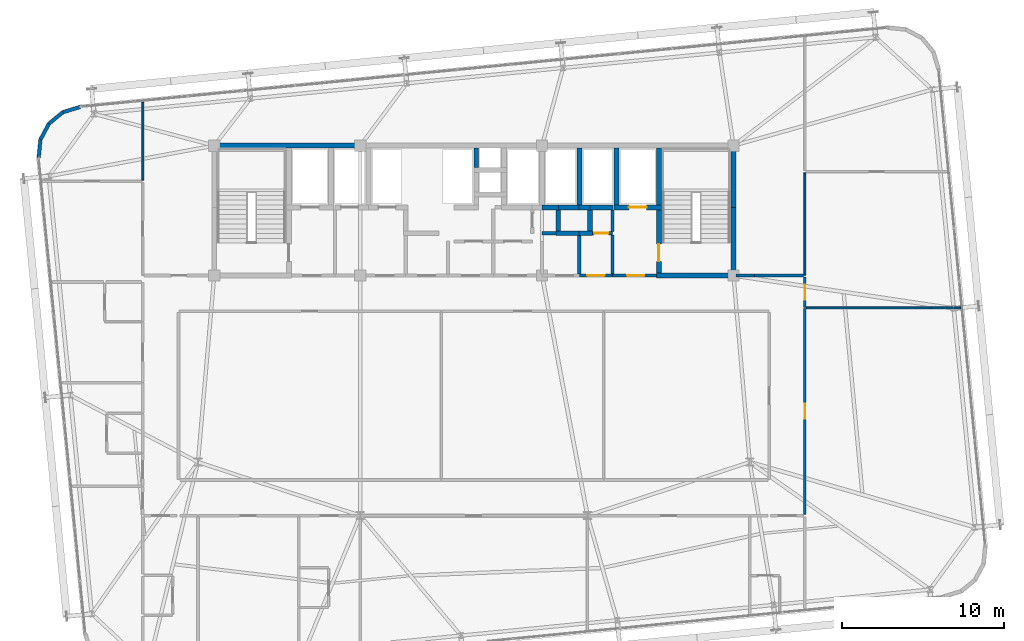
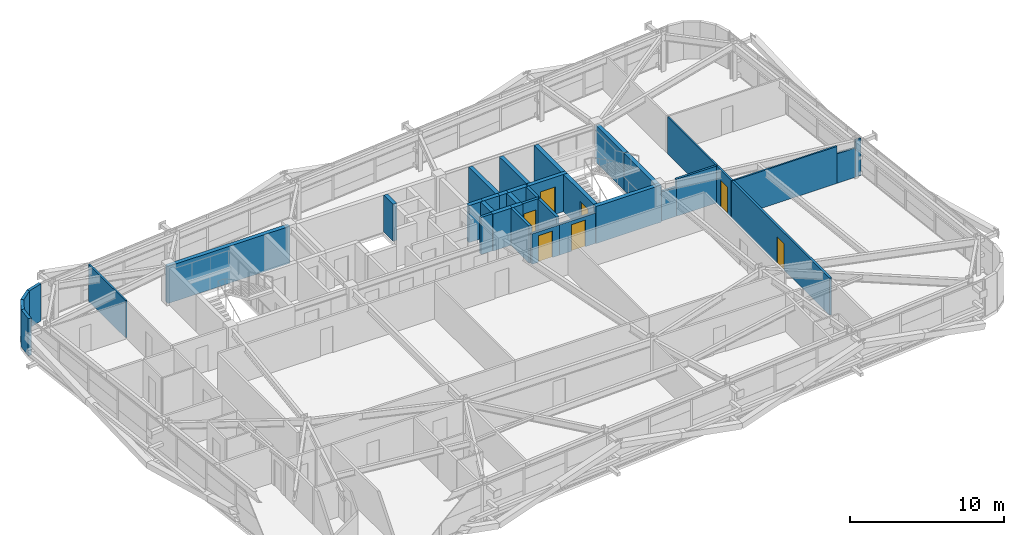
# One storey, part 49 of 53: 38 walls, 7 doors, 7 openings.
"""IFC4 building model written with IfcOpenShell, lengths in metres."""

from ifc_helpers import new_model, si_unit, direction, frame, frame_2d, origin, place, context, subcontext, project, spatial, rectangle, extrude, source, transform, mapped, material, layer, layer_set, type_object, element, fill, save


model = new_model("IFC4")

# Units and contexts
model_context = context("Model", 3, precision=1e-05, world=origin(), true_north=direction((0.0, 1.0)))
body_context = subcontext(model_context, "Body", "Model", "MODEL_VIEW")
ifc_project = project(units=[si_unit("LENGTHUNIT", "METRE"), si_unit("AREAUNIT", "SQUARE_METRE"), si_unit("VOLUMEUNIT", "CUBIC_METRE"), si_unit("PLANEANGLEUNIT", "RADIAN"), si_unit("MASSUNIT", "GRAM", prefix="KILO")], contexts=[model_context])

# Site, building, storey
site_placement = place(None, origin())
site = spatial("IfcSite", under=ifc_project, at=site_placement, CompositionType="ELEMENT")
building_placement = place(site_placement, origin())
building = spatial("IfcBuilding", under=site, at=building_placement, Name="Taldren Reach Tower", CompositionType="ELEMENT")
storey_placement = place(building_placement, frame((0.0, 0.0, 84.0)))
storey = spatial("IfcBuildingStorey", under=building, at=storey_placement, Name="L25", CompositionType="ELEMENT", Elevation=84.0)

# Walls
ifc_material_1 = material(Name="Pale Champagne Anodised Aluminium Cladding", Category="aluminium")
ifc_layer_1 = layer(ifc_material_1, 0.04, Name="Pale Champagne Anodised Aluminium Cladding", Category="aluminium")
ifc_material_2 = material(Name="Mineral Wool Acoustic Insulation", Category="insulation")
ifc_layer_2 = layer(ifc_material_2, 0.06, Name="Mineral Wool Acoustic Insulation", Category="insulation")
ifc_material_3 = material(Name="Steel Gr 350 (C350L0)", Category="steel")
ifc_layer_3 = layer(ifc_material_3, 0.12, Name="Steel Gr 350 (C350L0)", Category="steel")
ifc_layer_set_1 = layer_set([ifc_layer_1, ifc_layer_2, ifc_layer_3], Name="Pale Champagne Aluminium Cladding and Steel Gr 350 Stud Framing")
wall_type_1 = type_object("IfcWallType", Name="EW-CRN-220", PredefinedType="SOLIDWALL", material=ifc_layer_set_1)
shared_shape_1 = source(origin(), body_context, "Body", "SweptSolid", [
    extrude(rectangle(XDim=1.115966796875, YDim=0.219970703125, at=frame_2d((0.55810546875, 0.0))), origin(), (0.0, 0.0, 1.0), 2.929931640625),
])
wall_1_placement = place(storey_placement, frame((10.7509765625, 34.386474609375, 0.0), z_axis=(0.0, 0.0, 1.0), x_axis=(-0.957070388811, -0.289855603468, 0.0)))
element("IfcWall", 1, at=wall_1_placement, inside=storey, type_object=wall_type_1, Name="Rounded-corner pale-metal facade wall L25-NW1", PredefinedType="SOLIDWALL", context=body_context, shape_type="MappedRepresentation", body=[
    mapped(shared_shape_1, transform((0.0, 0.0, 0.0), scale=1.0)),
])
shared_shape_2 = source(origin(), body_context, "Body", "SweptSolid", [
    extrude(rectangle(XDim=1.11572265625, YDim=0.219970703125, at=frame_2d((0.557861328125, 0.0))), origin(), (0.0, 0.0, 1.0), 2.929931640625),
])
for number, where, z_axis, x_axis, name in (
    (2, (9.682861328125, 34.06298828125, 0.0), (0.0, 0.0, 1.0), (-0.773254916409, -0.634095287989, 0.0), "Rounded-corner pale-metal facade wall L25-NW2"),
    (3, (8.29345703125, 32.371337890625, 0.0), (0.0, 0.0, 1.0), (-0.098463783145, -0.99514063499, 0.0), "Rounded-corner pale-metal facade wall L25-NW4"),
):
    element("IfcWall", number, at=place(storey_placement, frame(where, z_axis=z_axis, x_axis=x_axis)), inside=storey, type_object=wall_type_1, Name=name, PredefinedType="SOLIDWALL", context=body_context, shape_type="MappedRepresentation", body=[
        mapped(shared_shape_2, transform((0.0, 0.0, 0.0), scale=1.0)),
    ])
shared_shape_3 = source(origin(), body_context, "Body", "SweptSolid", [
    extrude(rectangle(XDim=1.1162109375, YDim=0.219970703125, at=frame_2d((0.55810546875, 0.0))), origin(), (0.0, 0.0, 1.0), 2.929931640625),
])
wall_2_placement = place(storey_placement, frame((8.820068359375, 33.35546875, 0.0), z_axis=(0.0, 0.0, 1.0), x_axis=(-0.471802540493, -0.881704237704, 0.0)))
element("IfcWall", 4, at=wall_2_placement, inside=storey, type_object=wall_type_1, Name="Rounded-corner pale-metal facade wall L25-NW3", PredefinedType="SOLIDWALL", context=body_context, shape_type="MappedRepresentation", body=[
    mapped(shared_shape_3, transform((0.0, 0.0, 0.0), scale=1.0)),
])

# Wall, opening, door
ifc_material_4 = material(Name="Fire-Rated Acoustic Plasterboard Stud Wall", Category="gypsum")
ifc_layer_4 = layer(ifc_material_4, 0.159912109375)
ifc_layer_set_2 = layer_set([ifc_layer_4], Name="Fire-Rated Acoustic Plasterboard Stud Wall")
wall_type_2 = type_object("IfcWallType", Name="IW-FIRE-160", PredefinedType="PARTITIONING", material=ifc_layer_set_2)
shared_shape_4 = source(origin(), body_context, "Body", "SweptSolid", [
    extrude(rectangle(XDim=1.899658203125, YDim=0.159912109375, at=frame_2d((0.94970703125, 0.0))), origin(), (0.0, 0.0, 1.0), 2.929931640625),
])
wall_3_placement = place(storey_placement, frame((55.39990234375, 23.919921875, 0.0), z_axis=(0.0, 0.0, 1.0), x_axis=(0.0, -1.0, 0.0)))
wall_3 = element("IfcWall", 5, at=wall_3_placement, inside=storey, type_object=wall_type_2, Name="Interior Partition Wall W-INT-L25-074", PredefinedType="PARTITIONING", context=body_context, shape_type="MappedRepresentation", body=[
    mapped(shared_shape_4, transform((0.0, 0.0, 0.0), scale=1.0)),
])
shared_shape_5 = source(origin(), body_context, "Body", "SweptSolid", [
    extrude(rectangle(XDim=0.919921875, YDim=2.10009765625, at=frame_2d((0.4599609375, 1.050048828125))), frame((0.0, 0.08984375, 0.0), z_axis=(0.0, -1.0, 0.0), x_axis=(1.0, 0.0, 0.0)), (0.0, 0.0, 1.0), 0.179931640625),
])
opening_1_placement = place(wall_3_placement, frame((0.489990234375, 0.0, 0.0)))
opening_1 = element("IfcOpeningElement", 6, at=opening_1_placement, cuts=wall_3, Name="Opening DI-092", PredefinedType="OPENING", context=body_context, shape_type="MappedRepresentation", body=[
    mapped(shared_shape_5, transform((0.0, 0.0, 0.0), scale=1.0)),
])
ifc_material_5 = material(Name="Solid-Core Timber Suite Door", Category="wood")
door_type_1 = type_object("IfcDoorType", Name="ID-INT-092", OperationType="NOTDEFINED", PredefinedType="DOOR", material=ifc_material_5)
shared_shape_6 = source(origin(), body_context, "Body", "SweptSolid", [
    extrude(rectangle(XDim=0.919921875, YDim=2.10009765625, at=frame_2d((0.4599609375, 1.050048828125))), frame((0.0, 0.02490234375, 0.0), z_axis=(0.0, -1.0, 0.0), x_axis=(1.0, 0.0, 0.0)), (0.0, 0.0, 1.0), 0.050048828125),
])
door_1_placement = place(opening_1_placement, origin())
door_1 = element("IfcDoor", 7, at=door_1_placement, inside=storey, type_object=door_type_1, Name="Interior Door DR-L25-023", OperationType="SINGLE_SWING_RIGHT", OverallHeight=2.10009765625, OverallWidth=0.919921875, PredefinedType="DOOR", context=body_context, shape_type="MappedRepresentation", body=[
    mapped(shared_shape_6, transform((0.0, 0.0, 0.0), scale=1.0)),
])
fill(opening_1, door_1)

# Wall
ifc_material_6 = material(Name="Concrete S50 (50 MPa)", Category="concrete")
ifc_layer_5 = layer(ifc_material_6, 0.199951171875)
ifc_layer_set_3 = layer_set([ifc_layer_5], Name="Concrete S50 (50 MPa)")
wall_type_3 = type_object("IfcWallType", Name="IW-CORE-200", PredefinedType="SOLIDWALL", material=ifc_layer_set_3)
shared_shape_7 = source(origin(), body_context, "Body", "SweptSolid", [
    extrude(rectangle(XDim=2.39990234375, YDim=0.199951171875, at=frame_2d((1.199951171875, 0.0))), origin(), (0.0, 0.0, 1.0), 2.929931640625),
])
wall_4_placement = place(storey_placement, frame((43.550048828125, 26.5, 0.0), z_axis=(0.0, 0.0, 1.0), x_axis=(0.0, -1.0, 0.0)))
element("IfcWall", 8, at=wall_4_placement, inside=storey, type_object=wall_type_3, Name="Rear Core Shear Wall W-INT-L25-013", PredefinedType="SOLIDWALL", context=body_context, shape_type="MappedRepresentation", body=[
    mapped(shared_shape_7, transform((0.0, 0.0, 0.0), scale=1.0)),
])

# Wall, opening, door
shared_shape_8 = source(origin(), body_context, "Body", "SweptSolid", [
    extrude(rectangle(XDim=1.25, YDim=0.199951171875, at=frame_2d((0.625, 0.0))), origin(), (0.0, 0.0, 1.0), 2.929931640625),
])
wall_5_placement = place(storey_placement, frame((42.300048828125, 26.60009765625, 0.0), z_axis=(0.0, 0.0, 1.0), x_axis=(1.0, 0.0, 0.0)))
wall_5 = element("IfcWall", 9, at=wall_5_placement, inside=storey, type_object=wall_type_3, Name="Rear Core Shear Wall W-INT-L25-058", PredefinedType="SOLIDWALL", context=body_context, shape_type="MappedRepresentation", body=[
    mapped(shared_shape_8, transform((0.0, 0.0, 0.0), scale=1.0)),
])
shared_shape_9 = source(origin(), body_context, "Body", "SweptSolid", [
    extrude(rectangle(XDim=0.8798828125, YDim=2.10009765625, at=frame_2d((0.43994140625, 1.050048828125))), frame((0.0, 0.10986328125, 0.0), z_axis=(0.0, -1.0, 0.0), x_axis=(1.0, 0.0, 0.0)), (0.0, 0.0, 1.0), 0.219970703125),
])
opening_2_placement = place(wall_5_placement, frame((0.110107421875, 0.0, 0.0)))
opening_2 = element("IfcOpeningElement", 10, at=opening_2_placement, cuts=wall_5, Name="Opening DF-088", PredefinedType="OPENING", context=body_context, shape_type="MappedRepresentation", body=[
    mapped(shared_shape_9, transform((0.0, 0.0, 0.0), scale=1.0)),
])
ifc_material_7 = material(Name="Fire-Rated Service Closet Door")
door_type_2 = type_object("IfcDoorType", Name="ID-FIRE-088", OperationType="NOTDEFINED", PredefinedType="DOOR", material=ifc_material_7)
shared_shape_10 = source(origin(), body_context, "Body", "SweptSolid", [
    extrude(rectangle(XDim=0.8798828125, YDim=2.10009765625, at=frame_2d((0.43994140625, 1.050048828125))), frame((0.0, 0.02490234375, 0.0), z_axis=(0.0, -1.0, 0.0), x_axis=(1.0, 0.0, 0.0)), (0.0, 0.0, 1.0), 0.050048828125),
])
door_2_placement = place(opening_2_placement, origin())
door_2 = element("IfcDoor", 11, at=door_2_placement, inside=storey, type_object=door_type_2, Name="Interior Door DR-L25-012", OperationType="SINGLE_SWING_LEFT", OverallHeight=2.10009765625, OverallWidth=0.8798828125, PredefinedType="DOOR", context=body_context, shape_type="MappedRepresentation", body=[
    mapped(shared_shape_10, transform((0.0, 0.0, 0.0), scale=1.0)),
])
fill(opening_2, door_2)

shared_shape_11 = source(origin(), body_context, "Body", "SweptSolid", [
    extrude(rectangle(XDim=2.050048828125, YDim=0.199951171875, at=frame_2d((1.02490234375, 0.0))), origin(), (0.0, 0.0, 1.0), 2.39697265625),
])
wall_6_placement = place(storey_placement, frame((43.550048828125, 24.0, 0.0), z_axis=(0.0, 0.0, 1.0), x_axis=(-1.0, 0.0, 0.0)))
wall_6 = element("IfcWall", 12, at=wall_6_placement, inside=storey, type_object=wall_type_3, Name="Rear Core Shear Wall W-INT-L25-059", PredefinedType="SOLIDWALL", context=body_context, shape_type="MappedRepresentation", body=[
    mapped(shared_shape_11, transform((0.0, 0.0, 0.0), scale=1.0)),
])
shared_shape_12 = source(origin(), body_context, "Body", "SweptSolid", [
    extrude(rectangle(XDim=1.050048828125, YDim=2.10009765625, at=frame_2d((0.52490234375, 1.050048828125))), frame((0.0, 0.10986328125, 0.0), z_axis=(0.0, -1.0, 0.0), x_axis=(1.0, 0.0, 0.0)), (0.0, 0.0, 1.0), 0.219970703125),
])
opening_3_placement = place(wall_6_placement, frame((0.5, 0.0, 0.0)))
opening_3 = element("IfcOpeningElement", 13, at=opening_3_placement, cuts=wall_6, Name="Opening DF-105", PredefinedType="OPENING", context=body_context, shape_type="MappedRepresentation", body=[
    mapped(shared_shape_12, transform((0.0, 0.0, 0.0), scale=1.0)),
])
ifc_material_8 = material(Name="Fire-Rated Care and Stair Exit Door")
door_type_3 = type_object("IfcDoorType", Name="ID-FIRE-105", OperationType="NOTDEFINED", PredefinedType="DOOR", material=ifc_material_8)
shared_shape_13 = source(origin(), body_context, "Body", "SweptSolid", [
    extrude(rectangle(XDim=1.050048828125, YDim=2.10009765625, at=frame_2d((0.52490234375, 1.050048828125))), frame((0.0, 0.02490234375, 0.0), z_axis=(0.0, -1.0, 0.0), x_axis=(1.0, 0.0, 0.0)), (0.0, 0.0, 1.0), 0.050048828125),
])
door_3_placement = place(opening_3_placement, frame((1.050048828125, 0.0, 0.0), z_axis=(0.0, 0.0, 1.0), x_axis=(-1.0, 0.0, 0.0)))
door_3 = element("IfcDoor", 14, at=door_3_placement, inside=storey, type_object=door_type_3, Name="Interior Door DR-L25-013", OperationType="SINGLE_SWING_LEFT", OverallHeight=2.10009765625, OverallWidth=1.050048828125, PredefinedType="DOOR", context=body_context, shape_type="MappedRepresentation", body=[
    mapped(shared_shape_13, transform((0.0, 0.0, 0.0), scale=1.0)),
])
fill(opening_3, door_3)

# Walls
ifc_material_9 = material(Name="Concrete S65 (65 MPa)", Category="concrete")
ifc_layer_6 = layer(ifc_material_9, 0.300048828125)
ifc_layer_set_4 = layer_set([ifc_layer_6], Name="Concrete S65 (65 MPa)")
wall_type_4 = type_object("IfcWallType", Name="IW-CORE-300", PredefinedType="SHEAR", material=ifc_layer_set_4)
shared_shape_14 = source(origin(), body_context, "Body", "SweptSolid", [
    extrude(rectangle(XDim=9.14990234375, YDim=0.300048828125, at=frame_2d((4.574951171875, 0.0))), origin(), (0.0, 0.0, 1.0), 2.929931640625),
])
wall_7_placement = place(storey_placement, frame((18.85009765625, 32.0, 0.0), z_axis=(0.0, 0.0, 1.0), x_axis=(1.0, 0.0, 0.0)))
element("IfcWall", 15, at=wall_7_placement, inside=storey, type_object=wall_type_4, Name="Rear Core Shear Wall W-CORE-L25-NORTH1", PredefinedType="SHEAR", context=body_context, shape_type="MappedRepresentation", body=[
    mapped(shared_shape_14, transform((0.0, 0.0, 0.0), scale=1.0)),
])
shared_shape_15 = source(origin(), body_context, "Body", "SweptSolid", [
    extrude(rectangle(XDim=4.050048828125, YDim=0.300048828125, at=frame_2d((2.02490234375, 0.0))), origin(), (0.0, 0.0, 1.0), 2.929931640625),
])
wall_8_placement = place(storey_placement, frame((51.0, 24.14990234375, 0.0), z_axis=(0.0, 0.0, 1.0), x_axis=(0.0, 1.0, 0.0)))
element("IfcWall", 16, at=wall_8_placement, inside=storey, type_object=wall_type_4, Name="Rear Core Shear Wall W-CORE-L25-EAST1", PredefinedType="SHEAR", context=body_context, shape_type="MappedRepresentation", body=[
    mapped(shared_shape_15, transform((0.0, 0.0, 0.0), scale=1.0)),
])
shared_shape_16 = source(origin(), body_context, "Body", "SweptSolid", [
    extrude(rectangle(XDim=3.650146484375, YDim=0.300048828125, at=frame_2d((1.8251953125, 0.0))), origin(), (0.0, 0.0, 1.0), 2.929931640625),
])
wall_9_placement = place(storey_placement, frame((51.0, 28.199951171875, 0.0), z_axis=(0.0, 0.0, 1.0), x_axis=(0.0, 1.0, 0.0)))
element("IfcWall", 17, at=wall_9_placement, inside=storey, type_object=wall_type_4, Name="Rear Core Shear Wall W-CORE-L25-EAST2", PredefinedType="SHEAR", context=body_context, shape_type="MappedRepresentation", body=[
    mapped(shared_shape_16, transform((0.0, 0.0, 0.0), scale=1.0)),
])
shared_shape_17 = source(origin(), body_context, "Body", "SweptSolid", [
    extrude(rectangle(XDim=3.5, YDim=0.300048828125, at=frame_2d((1.75, 0.0))), origin(), (0.0, 0.0, 1.0), 2.929931640625),
])
for number, where, z_axis, x_axis, name in (
    (18, (46.39990234375, 31.85009765625, 0.0), (0.0, 0.0, 1.0), (0.0, -1.0, 0.0), "Rear Core Shear Wall W-INT-L25-008"),
    (19, (43.800048828125, 31.85009765625, 0.0), (0.0, 0.0, 1.0), (0.0, -1.0, 0.0), "Rear Core Shear Wall W-INT-L25-012"),
    (20, (41.5, 28.35009765625, 0.0), (0.0, 0.0, 1.0), (0.0, 1.0, 0.0), "Rear Core Shear Wall W-INT-L25-041"),
):
    element("IfcWall", number, at=place(storey_placement, frame(where, z_axis=z_axis, x_axis=x_axis)), inside=storey, type_object=wall_type_4, Name=name, PredefinedType="SHEAR", context=body_context, shape_type="MappedRepresentation", body=[
        mapped(shared_shape_17, transform((0.0, 0.0, 0.0), scale=1.0)),
    ])

# Wall, opening, door
shared_shape_18 = source(origin(), body_context, "Body", "SweptSolid", [
    extrude(rectangle(XDim=3.900146484375, YDim=0.300048828125, at=frame_2d((1.9501953125, 0.0))), origin(), (0.0, 0.0, 1.0), 2.929931640625),
])
wall_10_placement = place(storey_placement, frame((46.39990234375, 28.050048828125, 0.0), z_axis=(0.0, 0.0, 1.0), x_axis=(0.0, -1.0, 0.0)))
wall_10 = element("IfcWall", 21, at=wall_10_placement, inside=storey, type_object=wall_type_4, Name="Rear Core Shear Wall W-INT-L25-009", PredefinedType="SHEAR", context=body_context, shape_type="MappedRepresentation", body=[
    mapped(shared_shape_18, transform((0.0, 0.0, 0.0), scale=1.0)),
])
shared_shape_19 = source(origin(), body_context, "Body", "SweptSolid", [
    extrude(rectangle(XDim=1.050048828125, YDim=2.10009765625, at=frame_2d((0.52490234375, 1.050048828125))), frame((0.0, 0.16015625, 0.0), z_axis=(0.0, -1.0, 0.0), x_axis=(1.0, 0.0, 0.0)), (0.0, 0.0, 1.0), 0.320068359375),
])
opening_4_placement = place(wall_10_placement, frame((2.125, 0.0, 0.0)))
opening_4 = element("IfcOpeningElement", 22, at=opening_4_placement, cuts=wall_10, Name="Opening DF-105", PredefinedType="OPENING", context=body_context, shape_type="MappedRepresentation", body=[
    mapped(shared_shape_19, transform((0.0, 0.0, 0.0), scale=1.0)),
])
door_4_placement = place(opening_4_placement, origin())
door_4 = element("IfcDoor", 23, at=door_4_placement, inside=storey, type_object=door_type_3, Name="Fire Exit Stair Door DR-L25-003", OperationType="SINGLE_SWING_RIGHT", OverallHeight=2.10009765625, OverallWidth=1.050048828125, PredefinedType="DOOR", context=body_context, shape_type="MappedRepresentation", body=[
    mapped(shared_shape_13, transform((0.0, 0.0, 0.0), scale=1.0)),
])
fill(opening_4, door_4)

# Wall
shared_shape_20 = source(origin(), body_context, "Body", "SweptSolid", [
    extrude(rectangle(XDim=4.89990234375, YDim=0.300048828125, at=frame_2d((2.449951171875, 0.0))), origin(), (0.0, 0.0, 1.0), 2.929931640625),
])
wall_11_placement = place(storey_placement, frame((46.25, 24.0, 0.0), z_axis=(0.0, 0.0, 1.0), x_axis=(1.0, 0.0, 0.0)))
element("IfcWall", 24, at=wall_11_placement, inside=storey, type_object=wall_type_4, Name="Rear Core Shear Wall W-INT-L25-010", PredefinedType="SHEAR", context=body_context, shape_type="MappedRepresentation", body=[
    mapped(shared_shape_20, transform((0.0, 0.0, 0.0), scale=1.0)),
])

# Wall, opening, door
shared_shape_21 = source(origin(), body_context, "Body", "SweptSolid", [
    extrude(rectangle(XDim=2.900146484375, YDim=0.300048828125, at=frame_2d((1.4501953125, 0.0))), origin(), (0.0, 0.0, 1.0), 2.929931640625),
])
wall_12_placement = place(storey_placement, frame((43.64990234375, 28.199951171875, 0.0), z_axis=(0.0, 0.0, 1.0), x_axis=(1.0, 0.0, 0.0)))
wall_12 = element("IfcWall", 25, at=wall_12_placement, inside=storey, type_object=wall_type_4, Name="Rear Core Shear Wall W-INT-L25-011", PredefinedType="SHEAR", context=body_context, shape_type="MappedRepresentation", body=[
    mapped(shared_shape_21, transform((0.0, 0.0, 0.0), scale=1.0)),
])
shared_shape_22 = source(origin(), body_context, "Body", "SweptSolid", [
    extrude(rectangle(XDim=1.10009765625, YDim=2.14990234375, at=frame_2d((0.550048828125, 1.074951171875))), frame((0.0, 0.16015625, 0.0), z_axis=(0.0, -1.0, 0.0), x_axis=(1.0, 0.0, 0.0)), (0.0, 0.0, 1.0), 0.320068359375),
])
opening_5_placement = place(wall_12_placement, frame((0.89990234375, 0.0, 0.0)))
opening_5 = element("IfcOpeningElement", 26, at=opening_5_placement, cuts=wall_12, Name="Opening LD-FL2", PredefinedType="OPENING", context=body_context, shape_type="MappedRepresentation", body=[
    mapped(shared_shape_22, transform((0.0, 0.0, 0.0), scale=1.0)),
])
ifc_material_10 = material(Name="Stainless Steel Gr 316 Emergency Lift Landing Door", Category="steel")
door_type_4 = type_object("IfcDoorType", Name="LD-EMG-110", OperationType="SLIDING_TO_LEFT", PredefinedType="DOOR", material=ifc_material_10)
shared_shape_23 = source(origin(), body_context, "Body", "SweptSolid", [
    extrude(rectangle(XDim=1.10009765625, YDim=2.14990234375, at=frame_2d((0.550048828125, 1.074951171875))), frame((0.0, 0.02490234375, 0.0), z_axis=(0.0, -1.0, 0.0), x_axis=(1.0, 0.0, 0.0)), (0.0, 0.0, 1.0), 0.050048828125),
])
door_5_placement = place(opening_5_placement, origin())
door_5 = element("IfcDoor", 27, at=door_5_placement, inside=storey, type_object=door_type_4, Name="Lift Landing Door LD-FL2-L25", OperationType="SLIDING_TO_LEFT", OverallHeight=2.14990234375, OverallWidth=1.10009765625, PredefinedType="DOOR", context=body_context, shape_type="MappedRepresentation", body=[
    mapped(shared_shape_23, transform((0.0, 0.0, 0.0), scale=1.0)),
])
fill(opening_5, door_5)

# Wall
shared_shape_24 = source(origin(), body_context, "Body", "SweptSolid", [
    extrude(rectangle(XDim=1.35009765625, YDim=0.199951171875, at=frame_2d((0.675048828125, 0.0))), origin(), (0.0, 0.0, 1.0), 2.929931640625),
])
wall_13_placement = place(storey_placement, frame((43.550048828125, 28.050048828125, 0.0), z_axis=(0.0, 0.0, 1.0), x_axis=(0.0, -1.0, 0.0)))
element("IfcWall", 28, at=wall_13_placement, inside=storey, type_object=wall_type_3, Name="Rear Core Shear Wall W-INT-L25-014", PredefinedType="SOLIDWALL", context=body_context, shape_type="MappedRepresentation", body=[
    mapped(shared_shape_24, transform((0.0, 0.0, 0.0), scale=1.0)),
])

# Wall, opening, door
shared_shape_25 = source(origin(), body_context, "Body", "SweptSolid", [
    extrude(rectangle(XDim=2.699951171875, YDim=0.199951171875, at=frame_2d((1.35009765625, 0.0))), origin(), (0.0, 0.0, 1.0), 2.39697265625),
])
wall_14_placement = place(storey_placement, frame((43.550048828125, 24.0, 0.0), z_axis=(0.0, 0.0, 1.0), x_axis=(1.0, 0.0, 0.0)))
wall_14 = element("IfcWall", 29, at=wall_14_placement, inside=storey, type_object=wall_type_3, Name="Rear Core Shear Wall W-INT-L25-015", PredefinedType="SOLIDWALL", context=body_context, shape_type="MappedRepresentation", body=[
    mapped(shared_shape_25, transform((0.0, 0.0, 0.0), scale=1.0)),
])
opening_6_placement = place(wall_14_placement, frame((0.89990234375, 0.0, 0.0)))
opening_6 = element("IfcOpeningElement", 30, at=opening_6_placement, cuts=wall_14, Name="Opening DF-105", PredefinedType="OPENING", context=body_context, shape_type="MappedRepresentation", body=[
    mapped(shared_shape_12, transform((0.0, 0.0, 0.0), scale=1.0)),
])
door_6_placement = place(opening_6_placement, origin())
door_6 = element("IfcDoor", 31, at=door_6_placement, inside=storey, type_object=door_type_3, Name="Interior Door DR-L25-004", OperationType="SINGLE_SWING_LEFT", OverallHeight=2.10009765625, OverallWidth=1.050048828125, PredefinedType="DOOR", context=body_context, shape_type="MappedRepresentation", body=[
    mapped(shared_shape_13, transform((0.0, 0.0, 0.0), scale=1.0)),
])
fill(opening_6, door_6)

# Walls
shared_shape_26 = source(origin(), body_context, "Body", "SweptSolid", [
    extrude(rectangle(XDim=1.2001953125, YDim=0.300048828125, at=frame_2d((0.60009765625, 0.0))), origin(), (0.0, 0.0, 1.0), 2.929931640625),
])
wall_15_placement = place(storey_placement, frame((35.14990234375, 31.85009765625, 0.0), z_axis=(0.0, 0.0, 1.0), x_axis=(0.0, -1.0, 0.0)))
element("IfcWall", 32, at=wall_15_placement, inside=storey, type_object=wall_type_4, Name="Rear Core Shear Wall W-INT-L25-017", PredefinedType="SHEAR", context=body_context, shape_type="MappedRepresentation", body=[
    mapped(shared_shape_26, transform((0.0, 0.0, 0.0), scale=1.0)),
])
shared_shape_27 = source(origin(), body_context, "Body", "SweptSolid", [
    extrude(rectangle(XDim=1.300048828125, YDim=0.300048828125, at=frame_2d((0.64990234375, 0.0))), origin(), (0.0, 0.0, 1.0), 2.929931640625),
])
for number, where, z_axis, x_axis, name in (
    (33, (40.199951171875, 28.050048828125, 0.0), (0.0, 0.0, 1.0), (0.0, -1.0, 0.0), "Rear Core Shear Wall W-INT-L25-027"),
    (34, (42.14990234375, 26.75, 0.0), (0.0, 0.0, 1.0), (0.0, 1.0, 0.0), "Rear Core Shear Wall W-INT-L25-029"),
):
    element("IfcWall", number, at=place(storey_placement, frame(where, z_axis=z_axis, x_axis=x_axis)), inside=storey, type_object=wall_type_4, Name=name, PredefinedType="SHEAR", context=body_context, shape_type="MappedRepresentation", body=[
        mapped(shared_shape_27, transform((0.0, 0.0, 0.0), scale=1.0)),
    ])
shared_shape_28 = source(origin(), body_context, "Body", "SweptSolid", [
    extrude(rectangle(XDim=1.320068359375, YDim=0.300048828125, at=frame_2d((0.66015625, 0.0))), origin(), (0.0, 0.0, 1.0), 2.929931640625),
])
wall_16_placement = place(storey_placement, frame((41.52001953125, 28.199951171875, 0.0), z_axis=(0.0, 0.0, 1.0), x_axis=(-1.0, 0.0, 0.0)))
element("IfcWall", 35, at=wall_16_placement, inside=storey, type_object=wall_type_4, Name="Rear Core Shear Wall W-INT-L25-024", PredefinedType="SHEAR", context=body_context, shape_type="MappedRepresentation", body=[
    mapped(shared_shape_28, transform((0.0, 0.0, 0.0), scale=1.0)),
])
shared_shape_29 = source(origin(), body_context, "Body", "SweptSolid", [
    extrude(rectangle(XDim=0.669921875, YDim=0.300048828125, at=frame_2d((0.3349609375, 0.0))), origin(), (0.0, 0.0, 1.0), 2.929931640625),
])
wall_17_placement = place(storey_placement, frame((42.14990234375, 28.199951171875, 0.0), z_axis=(0.0, 0.0, 1.0), x_axis=(-1.0, 0.0, 0.0)))
element("IfcWall", 36, at=wall_17_placement, inside=storey, type_object=wall_type_4, Name="Rear Core Shear Wall W-INT-L25-025", PredefinedType="SHEAR", context=body_context, shape_type="MappedRepresentation", body=[
    mapped(shared_shape_29, transform((0.0, 0.0, 0.0), scale=1.0)),
])
shared_shape_30 = source(origin(), body_context, "Body", "SweptSolid", [
    extrude(rectangle(XDim=1.469970703125, YDim=0.300048828125, at=frame_2d((0.73486328125, 0.0))), origin(), (0.0, 0.0, 1.0), 2.929931640625),
])
wall_18_placement = place(storey_placement, frame((40.050048828125, 26.60009765625, 0.0), z_axis=(0.0, 0.0, 1.0), x_axis=(1.0, 0.0, 0.0)))
element("IfcWall", 37, at=wall_18_placement, inside=storey, type_object=wall_type_4, Name="Rear Core Shear Wall W-INT-L25-026", PredefinedType="SHEAR", context=body_context, shape_type="MappedRepresentation", body=[
    mapped(shared_shape_30, transform((0.0, 0.0, 0.0), scale=1.0)),
])
shared_shape_31 = source(origin(), body_context, "Body", "SweptSolid", [
    extrude(rectangle(XDim=0.820068359375, YDim=0.300048828125, at=frame_2d((0.41015625, 0.0))), origin(), (0.0, 0.0, 1.0), 2.929931640625),
])
wall_19_placement = place(storey_placement, frame((41.47998046875, 26.60009765625, 0.0), z_axis=(0.0, 0.0, 1.0), x_axis=(1.0, 0.0, 0.0)))
element("IfcWall", 38, at=wall_19_placement, inside=storey, type_object=wall_type_4, Name="Rear Core Shear Wall W-INT-L25-028", PredefinedType="SHEAR", context=body_context, shape_type="MappedRepresentation", body=[
    mapped(shared_shape_31, transform((0.0, 0.0, 0.0), scale=1.0)),
])
shared_shape_32 = source(origin(), body_context, "Body", "SweptSolid", [
    extrude(rectangle(XDim=2.349853515625, YDim=0.199951171875, at=frame_2d((1.1748046875, 0.0))), origin(), (0.0, 0.0, 1.0), 2.929931640625),
])
wall_20_placement = place(storey_placement, frame((41.5, 26.449951171875, 0.0), z_axis=(0.0, 0.0, 1.0), x_axis=(0.0, -1.0, 0.0)))
element("IfcWall", 39, at=wall_20_placement, inside=storey, type_object=wall_type_3, Name="Rear Core Shear Wall W-INT-L25-056", PredefinedType="SOLIDWALL", context=body_context, shape_type="MappedRepresentation", body=[
    mapped(shared_shape_32, transform((0.0, 0.0, 0.0), scale=1.0)),
])
shared_shape_33 = source(origin(), body_context, "Body", "SweptSolid", [
    extrude(rectangle(XDim=1.02001953125, YDim=0.300048828125, at=frame_2d((0.510009765625, 0.0))), origin(), (0.0, 0.0, 1.0), 2.929931640625),
])
wall_21_placement = place(storey_placement, frame((39.199951171875, 28.199951171875, 0.0), z_axis=(0.0, 0.0, 1.0), x_axis=(1.0, 0.0, 0.0)))
element("IfcWall", 40, at=wall_21_placement, inside=storey, type_object=wall_type_4, Name="Rear Core Shear Wall W-INT-L25-042", PredefinedType="SHEAR", context=body_context, shape_type="MappedRepresentation", body=[
    mapped(shared_shape_33, transform((0.0, 0.0, 0.0), scale=1.0)),
])
shared_shape_34 = source(origin(), body_context, "Body", "SweptSolid", [
    extrude(rectangle(XDim=1.440185546875, YDim=0.300048828125, at=frame_2d((0.72021484375, 0.0))), origin(), (0.0, 0.0, 1.0), 2.929931640625),
])
wall_22_placement = place(storey_placement, frame((42.1298828125, 28.199951171875, 0.0), z_axis=(0.0, 0.0, 1.0), x_axis=(1.0, 0.0, 0.0)))
element("IfcWall", 41, at=wall_22_placement, inside=storey, type_object=wall_type_4, Name="Rear Core Shear Wall W-INT-L25-043", PredefinedType="SHEAR", context=body_context, shape_type="MappedRepresentation", body=[
    mapped(shared_shape_34, transform((0.0, 0.0, 0.0), scale=1.0)),
])
shared_shape_35 = source(origin(), body_context, "Body", "SweptSolid", [
    extrude(rectangle(XDim=0.85009765625, YDim=0.199951171875, at=frame_2d((0.425048828125, 0.0))), origin(), (0.0, 0.0, 1.0), 2.929931640625),
])
wall_23_placement = place(storey_placement, frame((39.199951171875, 26.60009765625, 0.0), z_axis=(0.0, 0.0, 1.0), x_axis=(1.0, 0.0, 0.0)))
element("IfcWall", 42, at=wall_23_placement, inside=storey, type_object=wall_type_3, Name="Rear Core Shear Wall W-INT-L25-055", PredefinedType="SOLIDWALL", context=body_context, shape_type="MappedRepresentation", body=[
    mapped(shared_shape_35, transform((0.0, 0.0, 0.0), scale=1.0)),
])
shared_shape_36 = source(origin(), body_context, "Body", "SweptSolid", [
    extrude(rectangle(XDim=1.154541015625, YDim=0.159912109375, at=frame_2d((0.5771484375, 0.0))), origin(), (0.0, 0.0, 1.0), 2.327880859375),
])
wall_24_placement = place(storey_placement, frame((51.14990234375, 24.0, 0.0), z_axis=(0.0, 0.0, 1.0), x_axis=(1.0, 0.0, 0.0)))
element("IfcWall", 43, at=wall_24_placement, inside=storey, type_object=wall_type_2, Name="Interior Partition Wall W-INT-L25-076", PredefinedType="PARTITIONING", context=body_context, shape_type="MappedRepresentation", body=[
    mapped(shared_shape_36, transform((0.0, 0.0, 0.0), scale=1.0)),
])
shared_shape_37 = source(origin(), body_context, "Body", "SweptSolid", [
    extrude(rectangle(XDim=3.015625, YDim=0.159912109375, at=frame_2d((1.5078125, 0.0))), origin(), (0.0, 0.0, 1.0), 2.929931640625),
])
wall_25_placement = place(storey_placement, frame((52.304443359375, 24.0, 0.0), z_axis=(0.0, 0.0, 1.0), x_axis=(1.0, 0.0, 0.0)))
element("IfcWall", 44, at=wall_25_placement, inside=storey, type_object=wall_type_2, Name="Interior Partition Wall W-INT-L25-076 part 2", PredefinedType="PARTITIONING", context=body_context, shape_type="MappedRepresentation", body=[
    mapped(shared_shape_37, transform((0.0, 0.0, 0.0), scale=1.0)),
])

# Wall, opening, door
shared_shape_38 = source(origin(), body_context, "Body", "SweptSolid", [
    extrude(rectangle(XDim=12.69970703125, YDim=0.159912109375, at=frame_2d((6.349853515625, 0.0))), origin(), (0.0, 0.0, 1.0), 2.929931640625),
])
wall_26_placement = place(storey_placement, frame((55.39990234375, 21.979736328125, 0.0), z_axis=(0.0, 0.0, 1.0), x_axis=(0.0, -1.0, 0.0)))
wall_26 = element("IfcWall", 45, at=wall_26_placement, inside=storey, type_object=wall_type_2, Name="Interior Partition Wall W-INT-L25-073", PredefinedType="PARTITIONING", context=body_context, shape_type="MappedRepresentation", body=[
    mapped(shared_shape_38, transform((0.0, 0.0, 0.0), scale=1.0)),
])
opening_7_placement = place(wall_26_placement, frame((5.889892578125, 0.0, 0.0)))
opening_7 = element("IfcOpeningElement", 46, at=opening_7_placement, cuts=wall_26, Name="Opening DI-092", PredefinedType="OPENING", context=body_context, shape_type="MappedRepresentation", body=[
    mapped(shared_shape_5, transform((0.0, 0.0, 0.0), scale=1.0)),
])
door_7_placement = place(opening_7_placement, origin())
door_7 = element("IfcDoor", 47, at=door_7_placement, inside=storey, type_object=door_type_1, Name="Interior Door DR-L25-022", OperationType="SINGLE_SWING_LEFT", OverallHeight=2.10009765625, OverallWidth=0.919921875, PredefinedType="DOOR", context=body_context, shape_type="MappedRepresentation", body=[
    mapped(shared_shape_6, transform((0.0, 0.0, 0.0), scale=1.0)),
])
fill(opening_7, door_7)

# Walls
ifc_material_11 = material(Name="Insulated Residential Stud Partition", Category="gypsum")
ifc_layer_7 = layer(ifc_material_11, 0.1201171875)
ifc_layer_set_5 = layer_set([ifc_layer_7], Name="Insulated Residential Stud Partition")
wall_type_5 = type_object("IfcWallType", Name="IW-PART-120", PredefinedType="PARTITIONING", material=ifc_layer_set_5)
shared_shape_39 = source(origin(), body_context, "Body", "SweptSolid", [
    extrude(rectangle(XDim=4.78564453125, YDim=0.1201171875, at=frame_2d((2.392822265625, 0.0))), origin(), (0.0, 0.0, 1.0), 2.929931640625),
])
wall_27_placement = place(storey_placement, frame((14.60009765625, 34.66552734375, 0.0), z_axis=(0.0, 0.0, 1.0), x_axis=(0.0, -1.0, 0.0)))
element("IfcWall", 48, at=wall_27_placement, inside=storey, type_object=wall_type_5, Name="Interior Partition Wall W-INT-L25-119", PredefinedType="PARTITIONING", context=body_context, shape_type="MappedRepresentation", body=[
    mapped(shared_shape_39, transform((0.0, 0.0, 0.0), scale=1.0)),
])
shared_shape_40 = source(origin(), body_context, "Body", "SweptSolid", [
    extrude(rectangle(XDim=7.708740234375, YDim=0.1201171875, at=frame_2d((3.8544921875, 0.0))), origin(), (0.0, 0.0, 1.0), 2.929931640625),
])
wall_28_placement = place(storey_placement, frame((55.48193359375, 22.0, 0.0), z_axis=(0.0, 0.0, 1.0), x_axis=(1.0, 0.0, 0.0)))
element("IfcWall", 49, at=wall_28_placement, inside=storey, type_object=wall_type_5, Name="Interior Partition Wall W-INT-L25-120", PredefinedType="PARTITIONING", context=body_context, shape_type="MappedRepresentation", body=[
    mapped(shared_shape_40, transform((0.0, 0.0, 0.0), scale=1.0)),
])
shared_shape_41 = source(origin(), body_context, "Body", "SweptSolid", [
    extrude(rectangle(XDim=1.392333984375, YDim=0.1201171875, at=frame_2d((0.6962890625, 0.0))), origin(), (0.0, 0.0, 1.0), 2.327880859375),
])
wall_29_placement = place(storey_placement, frame((63.190673828125, 22.0, 0.0), z_axis=(0.0, 0.0, 1.0), x_axis=(1.0, 0.0, 0.0)))
element("IfcWall", 50, at=wall_29_placement, inside=storey, type_object=wall_type_5, Name="Interior Partition Wall W-INT-L25-120 part 2", PredefinedType="PARTITIONING", context=body_context, shape_type="MappedRepresentation", body=[
    mapped(shared_shape_41, transform((0.0, 0.0, 0.0), scale=1.0)),
])
shared_shape_42 = source(origin(), body_context, "Body", "SweptSolid", [
    extrude(rectangle(XDim=0.411376953125, YDim=0.1201171875, at=frame_2d((0.20556640625, 0.0))), origin(), (0.0, 0.0, 1.0), 2.929931640625),
])
wall_30_placement = place(storey_placement, frame((64.5830078125, 22.0, 0.0), z_axis=(0.0, 0.0, 1.0), x_axis=(1.0, 0.0, 0.0)))
element("IfcWall", 51, at=wall_30_placement, inside=storey, type_object=wall_type_5, Name="Interior Partition Wall W-INT-L25-120 part 3", PredefinedType="PARTITIONING", context=body_context, shape_type="MappedRepresentation", body=[
    mapped(shared_shape_42, transform((0.0, 0.0, 0.0), scale=1.0)),
])
shared_shape_43 = source(origin(), body_context, "Body", "SweptSolid", [
    extrude(rectangle(XDim=6.2998046875, YDim=0.1201171875, at=frame_2d((3.14990234375, 0.0))), origin(), (0.0, 0.0, 1.0), 2.929931640625),
])
wall_31_placement = place(storey_placement, frame((55.39990234375, 24.020263671875, 0.0), z_axis=(0.0, 0.0, 1.0), x_axis=(0.0, 1.0, 0.0)))
element("IfcWall", 52, at=wall_31_placement, inside=storey, type_object=wall_type_5, Name="Interior Partition Wall W-INT-L25-122", PredefinedType="PARTITIONING", context=body_context, shape_type="MappedRepresentation", body=[
    mapped(shared_shape_43, transform((0.0, 0.0, 0.0), scale=1.0)),
])

save(model, "model.ifc")
